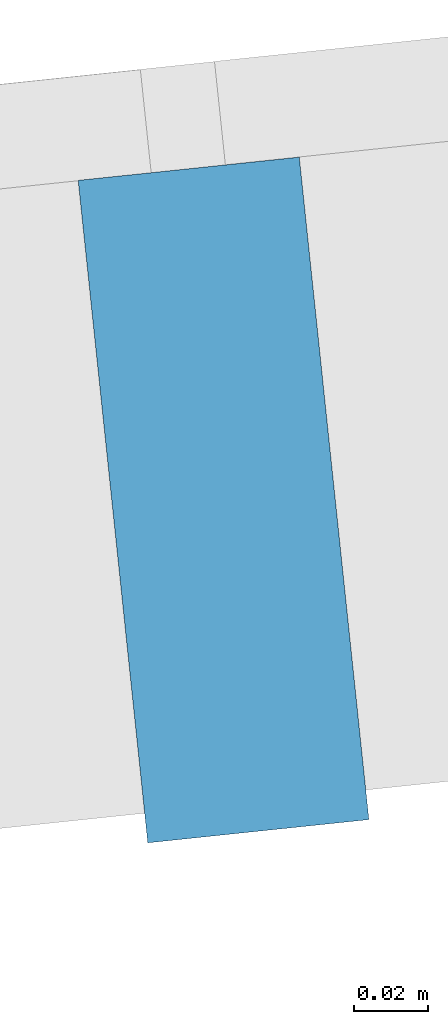
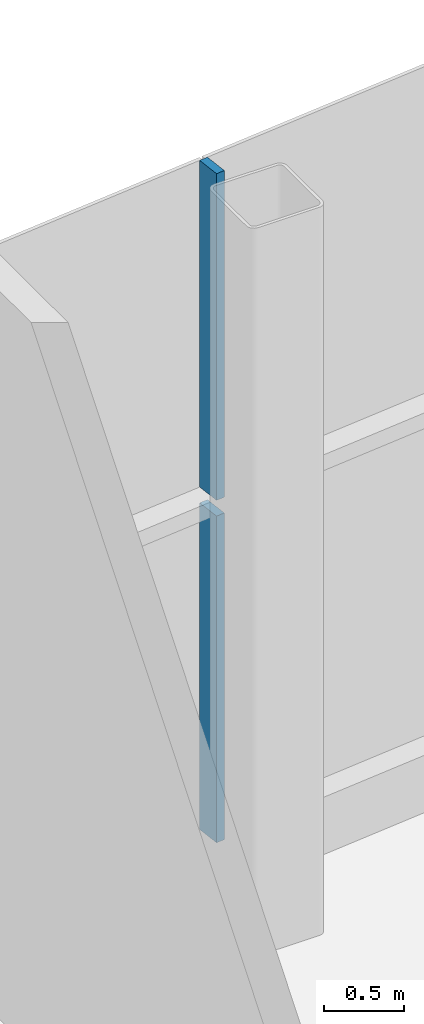
# One storey, part 9 of 35: 2 members, 1 element without a shape of its own.
"""IFC4 building model written with IfcOpenShell, lengths in metres."""

import ifcopenshell
import ifcopenshell.guid

model = None  # the IFC model being written
_history = None  # IfcOwnerHistory: only IFC2X3 demands one
_inside = {}  # id of a spatial element -> (the spatial element, [elements in it])
_under = {}  # id of a project, library or spatial element -> (it, [spatial elements below it])
_declared = {}  # id of a project -> (the project, [libraries it declares])
_typed = {}  # id of a type object -> (the type object, [elements of that type])
_made_of = {}  # id of a material, layer set ... -> (it, [elements and type objects made of it])


def new_model(schema):
    """Start an empty IFC model of exactly this schema.

    Asked for "IFC4X3", IfcOpenShell would pick the latest addendum, in which some entities
    have other attributes; the version numbers below select the first issue.
    IFC2X3 requires an IfcOwnerHistory on every rooted entity: one is made here for all.
    """
    global model, _history
    if schema == "IFC4X3":
        model = ifcopenshell.file(schema_version=(4, 3, 0, 0))
    else:
        model = ifcopenshell.file(schema=schema)
    _inside.clear()
    _under.clear()
    _declared.clear()
    _typed.clear()
    _made_of.clear()
    _history = None
    if model.schema == "IFC2X3":
        org = make("IfcOrganization", Name="unknown")
        user = make(
            "IfcPersonAndOrganization",
            ThePerson=make("IfcPerson", FamilyName="unknown"),
            TheOrganization=org,
        )
        app = make(
            "IfcApplication",
            ApplicationDeveloper=org,
            Version="unknown",
            ApplicationFullName="unknown",
            ApplicationIdentifier="unknown",
        )
        _history = make(
            "IfcOwnerHistory",
            OwningUser=user,
            OwningApplication=app,
            ChangeAction="ADDED",
            CreationDate=0,
        )
    return model


def make(cls, **values):
    """One entity of the class cls with the attributes given. An attribute that is None is left unset."""
    return model.create_entity(
        cls, **{name: value for name, value in values.items() if value is not None}
    )


def rooted(cls, **values):
    """An entity with a GlobalId (a new one), such as an element, a storey or a relation."""
    return make(cls, GlobalId=ifcopenshell.guid.new(), OwnerHistory=_history, **values)


def si_unit(unit_type, name, prefix=None):
    """IfcSIUnit, for example si_unit("LENGTHUNIT", "METRE", prefix="MILLI")."""
    return make("IfcSIUnit", UnitType=unit_type, Prefix=prefix, Name=name)


def assignment(units):
    """IfcUnitAssignment: the units of a project."""
    return None if units is None else make("IfcUnitAssignment", Units=units)


def point(xyz):
    """IfcCartesianPoint."""
    return None if xyz is None else make("IfcCartesianPoint", Coordinates=xyz)


def direction(xyz):
    """IfcDirection."""
    return None if xyz is None else make("IfcDirection", DirectionRatios=xyz)


def frame(location, z_axis=None, x_axis=None):
    """IfcAxis2Placement3D, a coordinate frame: its origin and axes. An axis left out is left unset."""
    return make(
        "IfcAxis2Placement3D",
        Location=point(location),
        Axis=direction(z_axis),
        RefDirection=direction(x_axis),
    )


def frame_2d(location, x_axis=None):
    """IfcAxis2Placement2D, a coordinate frame in the plane: its origin and x axis."""
    return make(
        "IfcAxis2Placement2D", Location=point(location), RefDirection=direction(x_axis)
    )


def origin():
    """The frame at (0, 0, 0) with its axes left unset."""
    return frame((0.0, 0.0, 0.0))


def origin_2d():
    """The frame at (0, 0) in the plane with its x axis left unset."""
    return frame_2d((0.0, 0.0))


def place(relative_to, where):
    """IfcLocalPlacement: puts the frame where relative to a parent placement (None: the world)."""
    return make(
        "IfcLocalPlacement", PlacementRelTo=relative_to, RelativePlacement=where
    )


def context(
    kind, dimensions, precision=None, world=None, true_north=None, identifier=None
):
    """IfcGeometricRepresentationContext, for example the 3D "Model" context."""
    return make(
        "IfcGeometricRepresentationContext",
        ContextIdentifier=identifier,
        ContextType=kind,
        CoordinateSpaceDimension=dimensions,
        Precision=precision,
        WorldCoordinateSystem=world,
        TrueNorth=true_north,
    )


def subcontext(parent, identifier, kind, view, scale=None):
    """IfcGeometricRepresentationSubContext, for example "Body" below "Model"."""
    return make(
        "IfcGeometricRepresentationSubContext",
        ContextIdentifier=identifier,
        ContextType=kind,
        ParentContext=parent,
        TargetScale=scale,
        TargetView=view,
    )


def project(units=None, contexts=None):
    """IfcProject with its units and contexts."""
    return rooted(
        "IfcProject",
        Name="project",
        RepresentationContexts=contexts,
        UnitsInContext=assignment(units),
    )


def spatial(cls, under=None, at=None, **own):
    """A site, building, storey or space (cls), placed at a placement, below another one or the project."""
    s = rooted(cls, ObjectPlacement=at, **own)
    if under is not None:
        _under.setdefault(under.id(), (under, []))[1].append(s)
    return s


def profile(cls, at=None, kind="AREA", **sizes):
    """A parametric profile (cls). Its sizes go by their IFC names, for example OverallWidth=200.0."""
    return make(cls, ProfileType=kind, Position=at, **sizes)


def rectangle(**sizes):
    """IfcRectangleProfileDef."""
    return profile("IfcRectangleProfileDef", **sizes)


def extrude(swept, where, along, depth):
    """IfcExtrudedAreaSolid: the profile swept, set in the frame where, extruded along a direction by depth."""
    return make(
        "IfcExtrudedAreaSolid",
        SweptArea=swept,
        Position=where,
        ExtrudedDirection=direction(along),
        Depth=depth,
    )


def shape(context_of_items, identifier, shape_type, items):
    """IfcShapeRepresentation: the items that make up one representation, for example the "Body"."""
    return make(
        "IfcShapeRepresentation",
        ContextOfItems=context_of_items,
        RepresentationIdentifier=identifier,
        RepresentationType=shape_type,
        Items=items,
    )


def material(Name=None, Category=None):
    """IfcMaterial."""
    return make("IfcMaterial", Name=Name, Category=Category)


def layer(
    of_material, thickness, ventilated=None, Name=None, Category=None, Priority=None
):
    """IfcMaterialLayer: one layer of a wall or slab, of a material (None: an air gap)."""
    return make(
        "IfcMaterialLayer",
        Material=of_material,
        LayerThickness=thickness,
        IsVentilated=ventilated,
        Name=Name,
        Category=Category,
        Priority=Priority,
    )


def layer_set(layers, Name=None):
    """IfcMaterialLayerSet."""
    return make("IfcMaterialLayerSet", MaterialLayers=layers, LayerSetName=Name)


def material_profile(
    of_material, cross_section, Name=None, Category=None, Priority=None
):
    """IfcMaterialProfile: a cross section and its material."""
    return make(
        "IfcMaterialProfile",
        Name=Name,
        Material=of_material,
        Profile=cross_section,
        Priority=Priority,
        Category=Category,
    )


def profile_set(profiles, Name=None, composite=None):
    """IfcMaterialProfileSet."""
    return make(
        "IfcMaterialProfileSet",
        Name=Name,
        MaterialProfiles=profiles,
        CompositeProfile=composite,
    )


def made_of(thing, what):
    """Note that an element or type object is made of a material, layer set ...; save() writes the relation."""
    if what is not None:
        _made_of.setdefault(what.id(), (what, []))[1].append(thing)
    return thing


def type_object(cls, material=None, **own):
    """A type object (cls), such as IfcWallType, which elements share."""
    return made_of(rooted(cls, **own), material)


def element(
    cls,
    number,
    at=None,
    inside=None,
    cuts=None,
    type_object=None,
    material=None,
    context=None,
    identifier="Body",
    shape_type=None,
    held_by="IfcProductDefinitionShape",
    body=None,
    shapes=None,
    **own,
):
    """One element of the class cls, such as IfcWall. Its Tag is "e" and its number.

    at: its placement. inside: the storey or other place that contains it. cuts: it is an
    opening in that element (IfcRelVoidsElement). A single representation is given by context,
    identifier, shape_type and body (its items); several are given by shapes. held_by: the class
    of the entity that holds the representations. save() writes the other relations.
    """
    e = rooted(cls, Tag="e%d" % number, ObjectPlacement=at, **own)
    if body is not None:
        shapes = [shape(context, identifier, shape_type, body)]
    if shapes is not None:
        e.Representation = make(held_by, Representations=shapes)
    if inside is not None:
        _inside.setdefault(inside.id(), (inside, []))[1].append(e)
    if cuts is not None:
        rooted(
            "IfcRelVoidsElement", RelatingBuildingElement=cuts, RelatedOpeningElement=e
        )
    if type_object is not None:
        _typed.setdefault(type_object.id(), (type_object, []))[1].append(e)
    return made_of(e, material)


def aggregate(whole, parts):
    """IfcRelAggregates: a whole, such as a stair, and the parts it consists of."""
    return rooted("IfcRelAggregates", RelatingObject=whole, RelatedObjects=parts)


def save(model, path):
    """Write the relations noted so far, then the file.

    IfcRelAggregates (storeys below a building ...), IfcRelContainedInSpatialStructure (elements
    in a storey), IfcRelDefinesByType, IfcRelAssociatesMaterial and IfcRelDeclares: one each for
    every whole, place, type object, material and project.
    """
    for whole, parts in _under.values():
        aggregate(whole, parts)
    for where, things in _inside.values():
        rooted(
            "IfcRelContainedInSpatialStructure",
            RelatedElements=things,
            RelatingStructure=where,
        )
    for kind, things in _typed.values():
        rooted("IfcRelDefinesByType", RelatedObjects=things, RelatingType=kind)
    for what, things in _made_of.values():
        rooted("IfcRelAssociatesMaterial", RelatedObjects=things, RelatingMaterial=what)
    for by, libraries in _declared.values():
        rooted("IfcRelDeclares", RelatingContext=by, RelatedDefinitions=libraries)
    model.write(path)


model = new_model("IFC4")

# Units and contexts
model_context = context("Model", 3, precision=1e-05, world=origin(), true_north=direction((0.0, 1.0)))
body_context = subcontext(model_context, "Body", "Model", "MODEL_VIEW")
ifc_project = project(units=[si_unit("LENGTHUNIT", "METRE"), si_unit("AREAUNIT", "SQUARE_METRE"), si_unit("VOLUMEUNIT", "CUBIC_METRE"), si_unit("PLANEANGLEUNIT", "RADIAN"), si_unit("MASSUNIT", "GRAM", prefix="KILO")], contexts=[model_context])

# Site, building, storey
site_placement = place(None, origin())
site = spatial("IfcSite", under=ifc_project, at=site_placement, CompositionType="ELEMENT")
building_placement = place(site_placement, origin())
building = spatial("IfcBuilding", under=site, at=building_placement, Name="Hakoniwa Tower and Hamabe Station Hall", CompositionType="ELEMENT")
storey_placement = place(building_placement, frame((0.0, 0.0, 264.60009765625)))
storey = spatial("IfcBuildingStorey", under=building, at=storey_placement, Name="L75", CompositionType="ELEMENT", Elevation=264.60009765625)

# Curtain wall, members
ifc_material_1 = material(Name="Dark low-e laminated glass", Category="glass")
ifc_layer = layer(ifc_material_1, 0.199951171875)
ifc_layer_set = layer_set([ifc_layer], Name="CW-1 UNITISED GUEST")
curtain_wall_type = type_object("IfcCurtainWallType", Name="CW-1 UNITISED GUEST", PredefinedType="NOTDEFINED", material=ifc_layer_set)
curtain_wall_placement = place(storey_placement, origin())
curtain_wall = element("IfcCurtainWall", 1, at=curtain_wall_placement, inside=storey, type_object=curtain_wall_type, Name="CW-1 curtain wall", PredefinedType="NOTDEFINED")
ifc_material_2 = material(Name="Aluminium 6063-T5 black anodised", Category="aluminium")
ifc_material_profile = material_profile(ifc_material_2, rectangle(XDim=0.06005859375, YDim=0.179931640625, at=origin_2d()), Name="CW-1 MULLION 60X180")
ifc_profile_set = profile_set([ifc_material_profile], Name="Aluminium 6063-T5 black anodised")
member_type = type_object("IfcMemberType", Name="CW-1 MULLION 60X180", PredefinedType="MULLION", material=ifc_profile_set)
member_1_placement = place(storey_placement, frame((-1.7958984375, 19.587890625, 0.349853515625), z_axis=(0.0, 0.0, 1.0), x_axis=(-0.994521895272, -0.104528464188, 0.0)))
member_1 = element("IfcMember", 2, at=member_1_placement, type_object=member_type, Name="CW-1 mullion", PredefinedType="MULLION", context=body_context, shape_type="SweptSolid", body=[
    extrude(rectangle(XDim=0.06005859375, YDim=0.179931640625, at=origin_2d()), origin(), (0.0, 0.0, 1.0), 2.489990234375),
])
member_2_placement = place(storey_placement, frame((-1.7958984375, 19.587890625, 2.9599609375), z_axis=(0.0, 0.0, 1.0), x_axis=(-0.994521895272, -0.104528464188, 0.0)))
member_2 = element("IfcMember", 3, at=member_2_placement, type_object=member_type, Name="CW-1 mullion", PredefinedType="MULLION", context=body_context, shape_type="SweptSolid", body=[
    extrude(rectangle(XDim=0.06005859375, YDim=0.179931640625, at=origin_2d()), origin(), (0.0, 0.0, 1.0), 2.489990234375),
])
aggregate(curtain_wall, [member_1, member_2])

save(model, "model.ifc")
